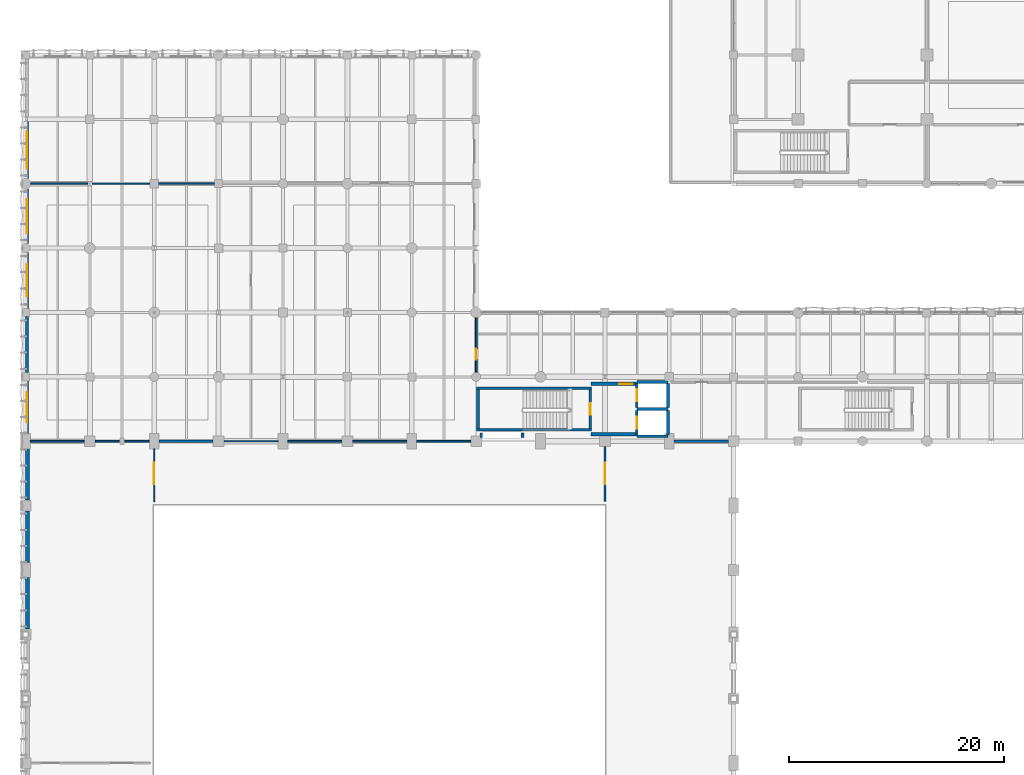
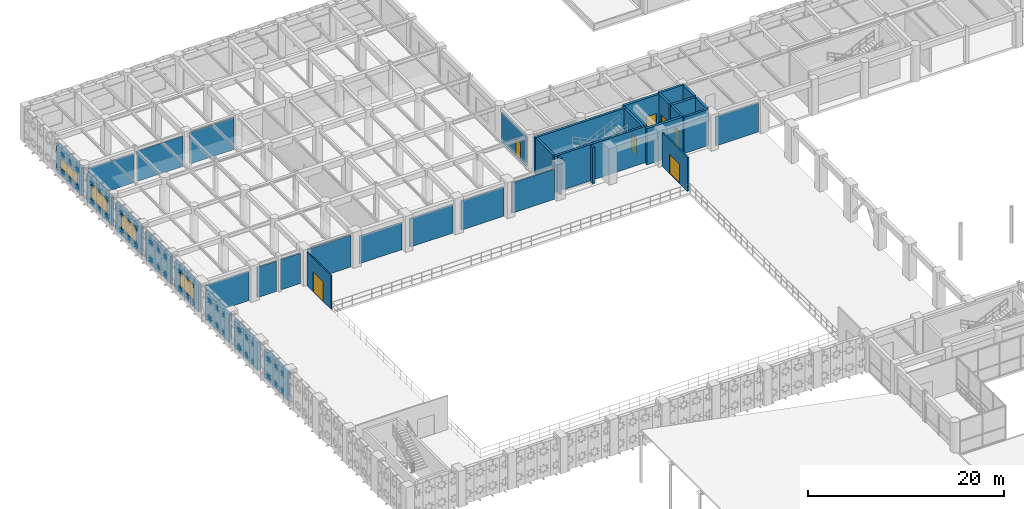
# One storey, part 99 of 133: 38 walls, 7 doors, 4 windows, 11 openings.
"""IFC4 building model written with IfcOpenShell, lengths in metres."""

from ifc_helpers import new_model, si_unit, direction, frame, frame_2d, origin, place, context, subcontext, project, spatial, rectangle, extrude, material, layer, layer_set, type_object, element, fill, save


model = new_model("IFC4")

# Units and contexts
model_context = context("Model", 3, precision=1e-05, world=origin(), true_north=direction((0.0, 1.0)))
body_context = subcontext(model_context, "Body", "Model", "MODEL_VIEW")
ifc_project = project(units=[si_unit("LENGTHUNIT", "METRE"), si_unit("AREAUNIT", "SQUARE_METRE"), si_unit("VOLUMEUNIT", "CUBIC_METRE"), si_unit("PLANEANGLEUNIT", "RADIAN"), si_unit("MASSUNIT", "GRAM", prefix="KILO"), si_unit("THERMODYNAMICTEMPERATUREUNIT", "KELVIN"), si_unit("POWERUNIT", "WATT")], contexts=[model_context])

# Site, building, storey
site_placement = place(None, origin())
site = spatial("IfcSite", under=ifc_project, at=site_placement, CompositionType="ELEMENT")
building_placement = place(site_placement, origin())
building = spatial("IfcBuilding", under=site, at=building_placement, Name="Phaisarnlok Congress Hotel", CompositionType="ELEMENT")
storey_placement = place(building_placement, frame((0.0, 0.0, 6.0)))
storey = spatial("IfcBuildingStorey", under=building, at=storey_placement, Name="L01", CompositionType="ELEMENT", Elevation=6.0)

# Wall, opening, window
ifc_material_1 = material(Name="Concrete C40/50", Category="concrete")
ifc_layer_1 = layer(ifc_material_1, 0.2900390625, Name="Concrete C40/50")
ifc_layer_set_1 = layer_set([ifc_layer_1], Name="Concrete C40/50")
wall_type_1 = type_object("IfcWallType", Name="WL-EXT-290", PredefinedType="SOLIDWALL", material=ifc_layer_set_1)
wall_1_placement = place(storey_placement, frame((0.14501953125, 113.79541015625, 0.0), z_axis=(0.0, 0.0, 1.0), x_axis=(0.0, -1.0, 0.0)))
wall_1 = element("IfcWall", 1, at=wall_1_placement, inside=storey, type_object=wall_type_1, Name="Exterior wall EW-03 (L01)", PredefinedType="SOLIDWALL", context=body_context, shape_type="SweptSolid", body=[
    extrude(rectangle(XDim=5.29052734375, YDim=0.2900390625, at=frame_2d((2.645263671875, 0.0))), origin(), (0.0, 0.0, 1.0), 3.469970703125),
])
opening_1_placement = place(wall_1_placement, frame((0.89501953125, 0.0, 0.85009765625)))
opening_1 = element("IfcOpeningElement", 2, at=opening_1_placement, cuts=wall_1, Name="Opening W-20", PredefinedType="OPENING", context=body_context, shape_type="SweptSolid", body=[
    extrude(rectangle(XDim=3.5, YDim=1.300048828125, at=frame_2d((1.75, 0.64990234375))), frame((0.0, 0.155029296875, 0.0), z_axis=(0.0, -1.0, 0.0), x_axis=(1.0, 0.0, 0.0)), (0.0, 0.0, 1.0), 0.31005859375),
])
ifc_material_2 = material(Name="Thermally Broken Aluminium & Low-E Double Glazing", Category="aluminium")
window_type_1 = type_object("IfcWindowType", Name="WIN-CLER-3500", PartitioningType="SINGLE_PANEL", PredefinedType="WINDOW", material=ifc_material_2)
window_1_placement = place(opening_1_placement, origin())
window_1 = element("IfcWindow", 3, at=window_1_placement, inside=storey, type_object=window_type_1, Name="Podium window W-20 (L01)", OverallHeight=1.300048828125, OverallWidth=3.5, PartitioningType="SINGLE_PANEL", PredefinedType="WINDOW", context=body_context, shape_type="SweptSolid", body=[
    extrude(rectangle(XDim=3.5, YDim=1.300048828125, at=frame_2d((1.75, 0.64990234375))), frame((0.0, 0.030029296875, 0.0), z_axis=(0.0, -1.0, 0.0), x_axis=(1.0, 0.0, 0.0)), (0.0, 0.0, 1.0), 0.06005859375),
])
fill(opening_1, window_1)

wall_2_placement = place(storey_placement, frame((0.14501953125, 107.4951171875, 0.0), z_axis=(0.0, 0.0, 1.0), x_axis=(0.0, -1.0, 0.0)))
wall_2 = element("IfcWall", 4, at=wall_2_placement, inside=storey, type_object=wall_type_1, Name="Exterior wall EW-03 (L01)", PredefinedType="SOLIDWALL", context=body_context, shape_type="SweptSolid", body=[
    extrude(rectangle(XDim=5.065185546875, YDim=0.2900390625, at=frame_2d((2.53271484375, 0.0))), origin(), (0.0, 0.0, 1.0), 3.469970703125),
])
opening_2_placement = place(wall_2_placement, frame((0.931884765625, 0.0, 0.85009765625)))
opening_2 = element("IfcOpeningElement", 5, at=opening_2_placement, cuts=wall_2, Name="Opening W-04", PredefinedType="OPENING", context=body_context, shape_type="SweptSolid", body=[
    extrude(rectangle(XDim=3.199951171875, YDim=1.85009765625, at=frame_2d((1.60009765625, 0.925048828125))), frame((0.0, 0.155029296875, 0.0), z_axis=(0.0, -1.0, 0.0), x_axis=(1.0, 0.0, 0.0)), (0.0, 0.0, 1.0), 0.31005859375),
])
window_type_2 = type_object("IfcWindowType", Name="WIN-SUITE-3200", PartitioningType="SINGLE_PANEL", PredefinedType="WINDOW", material=ifc_material_2)
window_2_placement = place(opening_2_placement, origin())
window_2 = element("IfcWindow", 6, at=window_2_placement, inside=storey, type_object=window_type_2, Name="Podium window W-04 (L01)", OverallHeight=1.85009765625, OverallWidth=3.199951171875, PartitioningType="SINGLE_PANEL", PredefinedType="WINDOW", context=body_context, shape_type="SweptSolid", body=[
    extrude(rectangle(XDim=3.199951171875, YDim=1.85009765625, at=frame_2d((1.60009765625, 0.925048828125))), frame((0.0, 0.030029296875, 0.0), z_axis=(0.0, -1.0, 0.0), x_axis=(1.0, 0.0, 0.0)), (0.0, 0.0, 1.0), 0.06005859375),
])
fill(opening_2, window_2)

wall_3_placement = place(storey_placement, frame((0.14501953125, 101.570068359375, 0.0), z_axis=(0.0, 0.0, 1.0), x_axis=(0.0, -1.0, 0.0)))
wall_3 = element("IfcWall", 7, at=wall_3_placement, inside=storey, type_object=wall_type_1, Name="Exterior wall EW-03 (L01)", PredefinedType="SOLIDWALL", context=body_context, shape_type="SweptSolid", body=[
    extrude(rectangle(XDim=5.190185546875, YDim=0.2900390625, at=frame_2d((2.59521484375, 0.0))), origin(), (0.0, 0.0, 1.0), 3.469970703125),
])
opening_3_placement = place(wall_3_placement, frame((1.094970703125, 0.0, 0.85009765625)))
opening_3 = element("IfcOpeningElement", 8, at=opening_3_placement, cuts=wall_3, Name="Opening W-05", PredefinedType="OPENING", context=body_context, shape_type="SweptSolid", body=[
    extrude(rectangle(XDim=3.0, YDim=1.89990234375, at=frame_2d((1.5, 0.949951171875))), frame((0.0, 0.155029296875, 0.0), z_axis=(0.0, -1.0, 0.0), x_axis=(1.0, 0.0, 0.0)), (0.0, 0.0, 1.0), 0.31005859375),
])
window_type_3 = type_object("IfcWindowType", Name="WIN-POD-3000", PartitioningType="SINGLE_PANEL", PredefinedType="WINDOW", material=ifc_material_2)
window_3_placement = place(opening_3_placement, origin())
window_3 = element("IfcWindow", 9, at=window_3_placement, inside=storey, type_object=window_type_3, Name="Podium window W-05 (L01)", OverallHeight=1.89990234375, OverallWidth=3.0, PartitioningType="SINGLE_PANEL", PredefinedType="WINDOW", context=body_context, shape_type="SweptSolid", body=[
    extrude(rectangle(XDim=3.0, YDim=1.89990234375, at=frame_2d((1.5, 0.949951171875))), frame((0.0, 0.030029296875, 0.0), z_axis=(0.0, -1.0, 0.0), x_axis=(1.0, 0.0, 0.0)), (0.0, 0.0, 1.0), 0.06005859375),
])
fill(opening_3, window_3)

# Wall
wall_4_placement = place(storey_placement, frame((0.14501953125, 95.6201171875, 0.0), z_axis=(0.0, 0.0, 1.0), x_axis=(0.0, -1.0, 0.0)))
element("IfcWall", 10, at=wall_4_placement, inside=storey, type_object=wall_type_1, Name="Exterior wall EW-03 (L01)", PredefinedType="SOLIDWALL", context=body_context, shape_type="SweptSolid", body=[
    extrude(rectangle(XDim=5.215087890625, YDim=0.2900390625, at=frame_2d((2.607421875, 0.0))), origin(), (0.0, 0.0, 1.0), 3.469970703125),
])

# Wall, opening, window
wall_5_placement = place(storey_placement, frame((0.14501953125, 89.594970703125, 0.0), z_axis=(0.0, 0.0, 1.0), x_axis=(0.0, -1.0, 0.0)))
wall_5 = element("IfcWall", 11, at=wall_5_placement, inside=storey, type_object=wall_type_1, Name="Exterior wall EW-03 (L01)", PredefinedType="SOLIDWALL", context=body_context, shape_type="SweptSolid", body=[
    extrude(rectangle(XDim=4.889892578125, YDim=0.2900390625, at=frame_2d((2.44482421875, 0.0))), origin(), (0.0, 0.0, 1.0), 3.469970703125),
])
opening_4_placement = place(wall_5_placement, frame((1.044921875, 0.0, 0.85009765625)))
opening_4 = element("IfcOpeningElement", 12, at=opening_4_placement, cuts=wall_5, Name="Opening W-06", PredefinedType="OPENING", context=body_context, shape_type="SweptSolid", body=[
    extrude(rectangle(XDim=2.800048828125, YDim=1.89990234375, at=frame_2d((1.39990234375, 0.949951171875))), frame((0.0, 0.155029296875, 0.0), z_axis=(0.0, -1.0, 0.0), x_axis=(1.0, 0.0, 0.0)), (0.0, 0.0, 1.0), 0.31005859375),
])
window_type_4 = type_object("IfcWindowType", Name="WIN-POD-2800", PartitioningType="SINGLE_PANEL", PredefinedType="WINDOW", material=ifc_material_2)
window_4_placement = place(opening_4_placement, origin())
window_4 = element("IfcWindow", 13, at=window_4_placement, inside=storey, type_object=window_type_4, Name="Podium window W-06 (L01)", OverallHeight=1.89990234375, OverallWidth=2.800048828125, PartitioningType="SINGLE_PANEL", PredefinedType="WINDOW", context=body_context, shape_type="SweptSolid", body=[
    extrude(rectangle(XDim=2.800048828125, YDim=1.89990234375, at=frame_2d((1.39990234375, 0.949951171875))), frame((0.0, 0.030029296875, 0.0), z_axis=(0.0, -1.0, 0.0), x_axis=(1.0, 0.0, 0.0)), (0.0, 0.0, 1.0), 0.06005859375),
])
fill(opening_4, window_4)

# Walls
ifc_layer_2 = layer(ifc_material_1, 0.360107421875, Name="Concrete C40/50")
ifc_layer_set_2 = layer_set([ifc_layer_2], Name="Concrete C40/50")
wall_type_2 = type_object("IfcWallType", Name="WL-EXT-360", PredefinedType="SOLIDWALL", material=ifc_layer_set_2)
for number, where, z_axis, x_axis, name in (
    (14, (0.179931640625, 83.294921875, 0.0), (0.0, 0.0, 1.0), (0.0, -1.0, 0.0), "Exterior wall EW-01 (L01)"),
    (15, (0.179931640625, 77.4951171875, 0.0), (0.0, 0.0, 1.0), (0.0, -1.0, 0.0), "Exterior wall EW-01 (L01)"),
    (16, (0.179931640625, 71.294921875, 0.0), (0.0, 0.0, 1.0), (0.0, -1.0, 0.0), "Exterior wall EW-01 (L01)"),
):
    element("IfcWall", number, at=place(storey_placement, frame(where, z_axis=z_axis, x_axis=x_axis)), inside=storey, type_object=wall_type_2, Name=name, PredefinedType="SOLIDWALL", context=body_context, shape_type="SweptSolid", body=[
        extrude(rectangle(XDim=4.7900390625, YDim=0.360107421875, at=frame_2d((2.39501953125, 0.0))), origin(), (0.0, 0.0, 1.0), 3.469970703125),
    ])

# Wall, opening, door
ifc_material_3 = material(Name="Service Riser Shaftwall Partition", Category="gypsum")
ifc_layer_3 = layer(ifc_material_3, 0.10498046875, Name="Service Riser Shaftwall Partition")
ifc_layer_set_3 = layer_set([ifc_layer_3], Name="Service Riser Shaftwall Partition")
wall_type_3 = type_object("IfcWallType", Name="WL-INT-105", PredefinedType="PARTITIONING", material=ifc_layer_set_3)
wall_6_placement = place(storey_placement, frame((12.0, 78.3701171875, 0.0), z_axis=(0.0, 0.0, 1.0), x_axis=(0.0, 1.0, 0.0)))
wall_6 = element("IfcWall", 17, at=wall_6_placement, inside=storey, type_object=wall_type_3, Name="Interior partition wall IW-08 (L01)", PredefinedType="PARTITIONING", context=body_context, shape_type="SweptSolid", body=[
    extrude(rectangle(XDim=4.9248046875, YDim=0.10498046875, at=frame_2d((2.46240234375, 0.0))), origin(), (0.0, 0.0, 1.0), 4.219970703125),
])
opening_5_placement = place(wall_6_placement, frame((1.6298828125, 0.0, 0.0)))
opening_5 = element("IfcOpeningElement", 18, at=opening_5_placement, cuts=wall_6, Name="Opening D-0057", PredefinedType="OPENING", context=body_context, shape_type="SweptSolid", body=[
    extrude(rectangle(XDim=2.0, YDim=2.449951171875, at=frame_2d((1.0, 1.22509765625))), frame((0.0, 0.0625, 0.0), z_axis=(0.0, -1.0, 0.0), x_axis=(1.0, 0.0, 0.0)), (0.0, 0.0, 1.0), 0.125),
])
ifc_material_4 = material(Name="Acoustic Double-Seal Congress Door", Category="wood")
door_type_1 = type_object("IfcDoorType", Name="DR-HALL-2000", OperationType="DOUBLE_DOOR_SINGLE_SWING", PredefinedType="DOOR", material=ifc_material_4)
door_1_placement = place(opening_5_placement, origin())
door_1 = element("IfcDoor", 19, at=door_1_placement, inside=storey, type_object=door_type_1, Name="Interior door D-0057 (L01)", OperationType="DOUBLE_DOOR_SINGLE_SWING", OverallHeight=2.449951171875, OverallWidth=2.0, PredefinedType="DOOR", context=body_context, shape_type="SweptSolid", body=[
    extrude(rectangle(XDim=2.0, YDim=2.449951171875, at=frame_2d((1.0, 1.22509765625))), frame((0.0, 0.02490234375, 0.0), z_axis=(0.0, -1.0, 0.0), x_axis=(1.0, 0.0, 0.0)), (0.0, 0.0, 1.0), 0.050048828125),
])
fill(opening_5, door_1)

# Walls
wall_7_placement = place(storey_placement, frame((18.5048828125, 84.0, 0.0), z_axis=(0.0, 0.0, 1.0), x_axis=(1.0, 0.0, 0.0)))
element("IfcWall", 20, at=wall_7_placement, inside=storey, type_object=wall_type_3, Name="Interior partition wall IW-08 (L01)", PredefinedType="PARTITIONING", context=body_context, shape_type="SweptSolid", body=[
    extrude(rectangle(XDim=5.0400390625, YDim=0.10498046875, at=frame_2d((2.52001953125, 0.0))), origin(), (0.0, 0.0, 1.0), 3.419921875),
])
ifc_material_5 = material(Name="Lightweight Metal-Stud Gypsum Partition", Category="gypsum")
ifc_layer_4 = layer(ifc_material_5, 0.1201171875, Name="Lightweight Metal-Stud Gypsum Partition")
ifc_layer_set_4 = layer_set([ifc_layer_4], Name="Lightweight Metal-Stud Gypsum Partition")
wall_type_4 = type_object("IfcWallType", Name="WL-INT-120", PredefinedType="PARTITIONING", material=ifc_layer_set_4)
wall_8_placement = place(storey_placement, frame((6.20556640625, 108.0, 0.0), z_axis=(0.0, 0.0, 1.0), x_axis=(1.0, 0.0, 0.0)))
element("IfcWall", 21, at=wall_8_placement, inside=storey, type_object=wall_type_4, Name="Interior partition wall IW-07 (L01)", PredefinedType="PARTITIONING", context=body_context, shape_type="SweptSolid", body=[
    extrude(rectangle(XDim=5.389404296875, YDim=0.1201171875, at=frame_2d((2.69482421875, 0.0))), origin(), (0.0, 0.0, 1.0), 3.77001953125),
])
ifc_material_6 = material(Name="Moisture-Resistant Gypsum Partition", Category="gypsum")
ifc_layer_5 = layer(ifc_material_6, 0.135009765625, Name="Moisture-Resistant Gypsum Partition")
ifc_layer_set_5 = layer_set([ifc_layer_5], Name="Moisture-Resistant Gypsum Partition")
wall_type_5 = type_object("IfcWallType", Name="WL-INT-135", PredefinedType="PARTITIONING", material=ifc_layer_set_5)
wall_9_placement = place(storey_placement, frame((0.5048828125, 108.0, 0.0), z_axis=(0.0, 0.0, 1.0), x_axis=(1.0, 0.0, 0.0)))
element("IfcWall", 22, at=wall_9_placement, inside=storey, type_object=wall_type_5, Name="Interior partition wall IW-06 (L01)", PredefinedType="PARTITIONING", context=body_context, shape_type="SweptSolid", body=[
    extrude(rectangle(XDim=5.28955078125, YDim=0.135009765625, at=frame_2d((2.644775390625, 0.0))), origin(), (0.0, 0.0, 1.0), 3.6201171875),
])
wall_10_placement = place(storey_placement, frame((12.405029296875, 108.0, 0.0), z_axis=(0.0, 0.0, 1.0), x_axis=(1.0, 0.0, 0.0)))
element("IfcWall", 23, at=wall_10_placement, inside=storey, type_object=wall_type_5, Name="Interior partition wall IW-06 (L01)", PredefinedType="PARTITIONING", context=body_context, shape_type="SweptSolid", body=[
    extrude(rectangle(XDim=5.215087890625, YDim=0.135009765625, at=frame_2d((2.607421875, 0.0))), origin(), (0.0, 0.0, 1.0), 3.929931640625),
])
ifc_material_7 = material(Name="Acoustic Gypsum Board & Mineral Wool", Category="gypsum")
ifc_layer_6 = layer(ifc_material_7, 0.14990234375, Name="Acoustic Gypsum Board & Mineral Wool")
ifc_layer_set_6 = layer_set([ifc_layer_6], Name="Acoustic Gypsum Board & Mineral Wool")
wall_type_6 = type_object("IfcWallType", Name="WL-INT-150", PredefinedType="PARTITIONING", material=ifc_layer_set_6)
wall_11_placement = place(storey_placement, frame((9.2548828125, 84.0, 0.0), z_axis=(0.0, 0.0, 1.0), x_axis=(1.0, 0.0, 0.0)))
element("IfcWall", 24, at=wall_11_placement, inside=storey, type_object=wall_type_6, Name="Interior partition wall IW-05 (L01)", PredefinedType="PARTITIONING", context=body_context, shape_type="SweptSolid", body=[
    extrude(rectangle(XDim=2.2900390625, YDim=0.14990234375, at=frame_2d((1.14501953125, 0.0))), origin(), (0.0, 0.0, 1.0), 3.77001953125),
])
wall_12_placement = place(storey_placement, frame((36.455078125, 84.0, 0.0), z_axis=(0.0, 0.0, 1.0), x_axis=(1.0, 0.0, 0.0)))
element("IfcWall", 25, at=wall_12_placement, inside=storey, type_object=wall_type_6, Name="Interior partition wall IW-05 (L01)", PredefinedType="PARTITIONING", context=body_context, shape_type="SweptSolid", body=[
    extrude(rectangle(XDim=5.0400390625, YDim=0.14990234375, at=frame_2d((2.52001953125, 0.0))), origin(), (0.0, 0.0, 1.0), 3.77001953125),
])

# Wall, opening, door
ifc_material_8 = material(Name="Double-Stud Acoustic Gypsum Partition", Category="gypsum")
ifc_layer_7 = layer(ifc_material_8, 0.159912109375, Name="Double-Stud Acoustic Gypsum Partition")
ifc_layer_set_7 = layer_set([ifc_layer_7], Name="Double-Stud Acoustic Gypsum Partition")
wall_type_7 = type_object("IfcWallType", Name="WL-INT-160", PredefinedType="PARTITIONING", material=ifc_layer_set_7)
wall_13_placement = place(storey_placement, frame((42.0, 90.429931640625, 0.0), z_axis=(0.0, 0.0, 1.0), x_axis=(0.0, 1.0, 0.0)))
wall_13 = element("IfcWall", 26, at=wall_13_placement, inside=storey, type_object=wall_type_7, Name="Interior partition wall IW-04 (L01)", PredefinedType="PARTITIONING", context=body_context, shape_type="SweptSolid", body=[
    extrude(rectangle(XDim=5.065185546875, YDim=0.159912109375, at=frame_2d((2.53271484375, 0.0))), origin(), (0.0, 0.0, 1.0), 3.669921875),
])
opening_6_placement = place(wall_13_placement, frame((1.169921875, 0.0, 0.0)))
opening_6 = element("IfcOpeningElement", 27, at=opening_6_placement, cuts=wall_13, Name="Opening D-0061", PredefinedType="OPENING", context=body_context, shape_type="SweptSolid", body=[
    extrude(rectangle(XDim=1.0, YDim=2.14990234375, at=frame_2d((0.5, 1.074951171875))), frame((0.0, 0.08984375, 0.0), z_axis=(0.0, -1.0, 0.0), x_axis=(1.0, 0.0, 0.0)), (0.0, 0.0, 1.0), 0.179931640625),
])
ifc_material_9 = material(Name="Solid-Core Oak Veneer", Category="wood")
door_type_2 = type_object("IfcDoorType", Name="DR-INT-1000", OperationType="NOTDEFINED", PredefinedType="DOOR", material=ifc_material_9)
door_2_placement = place(opening_6_placement, origin())
door_2 = element("IfcDoor", 28, at=door_2_placement, inside=storey, type_object=door_type_2, Name="Interior door D-0061 (L01)", OperationType="SINGLE_SWING_RIGHT", OverallHeight=2.14990234375, OverallWidth=1.0, PredefinedType="DOOR", context=body_context, shape_type="SweptSolid", body=[
    extrude(rectangle(XDim=1.0, YDim=2.14990234375, at=frame_2d((0.5, 1.074951171875))), frame((0.0, 0.02490234375, 0.0), z_axis=(0.0, -1.0, 0.0), x_axis=(1.0, 0.0, 0.0)), (0.0, 0.0, 1.0), 0.050048828125),
])
fill(opening_6, door_2)

# Walls
wall_14_placement = place(storey_placement, frame((6.5048828125, 84.0, 0.0), z_axis=(0.0, 0.0, 1.0), x_axis=(1.0, 0.0, 0.0)))
element("IfcWall", 29, at=wall_14_placement, inside=storey, type_object=wall_type_7, Name="Interior partition wall IW-04 (L01)", PredefinedType="PARTITIONING", context=body_context, shape_type="SweptSolid", body=[
    extrude(rectangle(XDim=2.240234375, YDim=0.159912109375, at=frame_2d((1.1201171875, 0.0))), origin(), (0.0, 0.0, 1.0), 3.77001953125),
])
wall_15_placement = place(storey_placement, frame((30.5048828125, 84.0, 0.0), z_axis=(0.0, 0.0, 1.0), x_axis=(1.0, 0.0, 0.0)))
element("IfcWall", 30, at=wall_15_placement, inside=storey, type_object=wall_type_7, Name="Interior partition wall IW-04 (L01)", PredefinedType="PARTITIONING", context=body_context, shape_type="SweptSolid", body=[
    extrude(rectangle(XDim=5.0400390625, YDim=0.159912109375, at=frame_2d((2.52001953125, 0.0))), origin(), (0.0, 0.0, 1.0), 3.6201171875),
])
ifc_material_10 = material(Name="Autoclaved Aerated Concrete Block", Category="concrete")
ifc_layer_8 = layer(ifc_material_10, 0.179931640625, Name="Autoclaved Aerated Concrete Block")
ifc_layer_set_8 = layer_set([ifc_layer_8], Name="Autoclaved Aerated Concrete Block")
wall_type_8 = type_object("IfcWallType", Name="WL-INT-180", PredefinedType="PARTITIONING", material=ifc_layer_set_8)
wall_16_placement = place(storey_placement, frame((0.455078125, 84.0, 0.0), z_axis=(0.0, 0.0, 1.0), x_axis=(1.0, 0.0, 0.0)))
element("IfcWall", 31, at=wall_16_placement, inside=storey, type_object=wall_type_8, Name="Interior partition wall IW-03 (L01)", PredefinedType="PARTITIONING", context=body_context, shape_type="SweptSolid", body=[
    extrude(rectangle(XDim=5.0400390625, YDim=0.179931640625, at=frame_2d((2.52001953125, 0.0))), origin(), (0.0, 0.0, 1.0), 3.6201171875),
])
wall_17_placement = place(storey_placement, frame((24.455078125, 84.0, 0.0), z_axis=(0.0, 0.0, 1.0), x_axis=(1.0, 0.0, 0.0)))
element("IfcWall", 32, at=wall_17_placement, inside=storey, type_object=wall_type_8, Name="Interior partition wall IW-03 (L01)", PredefinedType="PARTITIONING", context=body_context, shape_type="SweptSolid", body=[
    extrude(rectangle(XDim=5.0400390625, YDim=0.179931640625, at=frame_2d((2.52001953125, 0.0))), origin(), (0.0, 0.0, 1.0), 3.52001953125),
])

# Wall, opening, door
ifc_layer_9 = layer(ifc_material_10, 0.199951171875, Name="Autoclaved Aerated Concrete Block")
ifc_layer_set_9 = layer_set([ifc_layer_9], Name="Autoclaved Aerated Concrete Block")
wall_type_9 = type_object("IfcWallType", Name="WL-INT-200", PredefinedType="PARTITIONING", material=ifc_layer_set_9)
wall_18_placement = place(storey_placement, frame((54.0, 78.3701171875, 0.0), z_axis=(0.0, 0.0, 1.0), x_axis=(0.0, 1.0, 0.0)))
wall_18 = element("IfcWall", 33, at=wall_18_placement, inside=storey, type_object=wall_type_9, Name="Interior partition wall IW-02 (L01)", PredefinedType="PARTITIONING", context=body_context, shape_type="SweptSolid", body=[
    extrude(rectangle(XDim=5.125, YDim=0.199951171875, at=frame_2d((2.5625, 0.0))), origin(), (0.0, 0.0, 1.0), 4.219970703125),
])
opening_7_placement = place(wall_18_placement, frame((1.6298828125, 0.0, 0.0)))
opening_7 = element("IfcOpeningElement", 34, at=opening_7_placement, cuts=wall_18, Name="Opening D-0058", PredefinedType="OPENING", context=body_context, shape_type="SweptSolid", body=[
    extrude(rectangle(XDim=2.0, YDim=2.449951171875, at=frame_2d((1.0, 1.22509765625))), frame((0.0, 0.10986328125, 0.0), z_axis=(0.0, -1.0, 0.0), x_axis=(1.0, 0.0, 0.0)), (0.0, 0.0, 1.0), 0.219970703125),
])
door_3_placement = place(opening_7_placement, origin())
door_3 = element("IfcDoor", 35, at=door_3_placement, inside=storey, type_object=door_type_1, Name="Interior door D-0058 (L01)", OperationType="DOUBLE_DOOR_SINGLE_SWING", OverallHeight=2.449951171875, OverallWidth=2.0, PredefinedType="DOOR", context=body_context, shape_type="SweptSolid", body=[
    extrude(rectangle(XDim=2.0, YDim=2.449951171875, at=frame_2d((1.0, 1.22509765625))), frame((0.0, 0.02490234375, 0.0), z_axis=(0.0, -1.0, 0.0), x_axis=(1.0, 0.0, 0.0)), (0.0, 0.0, 1.0), 0.050048828125),
])
fill(opening_7, door_3)

# Walls
wall_19_placement = place(storey_placement, frame((12.455078125, 84.0, 0.0), z_axis=(0.0, 0.0, 1.0), x_axis=(1.0, 0.0, 0.0)))
element("IfcWall", 36, at=wall_19_placement, inside=storey, type_object=wall_type_9, Name="Interior partition wall IW-02 (L01)", PredefinedType="PARTITIONING", context=body_context, shape_type="SweptSolid", body=[
    extrude(rectangle(XDim=5.0400390625, YDim=0.199951171875, at=frame_2d((2.52001953125, 0.0))), origin(), (0.0, 0.0, 1.0), 3.929931640625),
])
wall_20_placement = place(storey_placement, frame((60.455078125, 84.0, 0.0), z_axis=(0.0, 0.0, 1.0), x_axis=(1.0, 0.0, 0.0)))
element("IfcWall", 37, at=wall_20_placement, inside=storey, type_object=wall_type_9, Name="Interior partition wall IW-02 (L01)", PredefinedType="PARTITIONING", context=body_context, shape_type="SweptSolid", body=[
    extrude(rectangle(XDim=5.0400390625, YDim=0.199951171875, at=frame_2d((2.52001953125, 0.0))), origin(), (0.0, 0.0, 1.0), 3.6201171875),
])
ifc_material_11 = material(Name="Concrete C50/60", Category="concrete")
ifc_layer_10 = layer(ifc_material_11, 0.260009765625, Name="Concrete C50/60")
ifc_layer_set_10 = layer_set([ifc_layer_10], Name="Concrete C50/60")
wall_type_10 = type_object("IfcWallType", Name="WL-SHR-260", PredefinedType="SHEAR", material=ifc_layer_set_10)
for number, where, z_axis, x_axis, name in (
    (38, (42.0400390625, 85.070068359375, 0.0), (0.0, 0.0, 1.0), (1.0, 0.0, 0.0), "Stair shaft shear wall SW-04 (CORE-5 L01)"),
    (39, (42.0400390625, 88.929931640625, 0.0), (0.0, 0.0, 1.0), (1.0, 0.0, 0.0), "Stair shaft shear wall SW-04 (CORE-5 L01)"),
):
    element("IfcWall", number, at=place(storey_placement, frame(where, z_axis=z_axis, x_axis=x_axis)), inside=storey, type_object=wall_type_10, Name=name, PredefinedType="SHEAR", context=body_context, shape_type="SweptSolid", body=[
        extrude(rectangle(XDim=10.719970703125, YDim=0.260009765625, at=frame_2d((5.35986328125, 0.0))), origin(), (0.0, 0.0, 1.0), 4.5),
    ])
wall_21_placement = place(storey_placement, frame((42.169921875, 85.199951171875, 0.0), z_axis=(0.0, 0.0, 1.0), x_axis=(0.0, 1.0, 0.0)))
element("IfcWall", 40, at=wall_21_placement, inside=storey, type_object=wall_type_10, Name="Stair shaft shear wall SW-04 (CORE-5 L01)", PredefinedType="SHEAR", context=body_context, shape_type="SweptSolid", body=[
    extrude(rectangle(XDim=3.60009765625, YDim=0.260009765625, at=frame_2d((1.800048828125, 0.0))), origin(), (0.0, 0.0, 1.0), 4.5),
])

# Wall, opening, door
wall_22_placement = place(storey_placement, frame((52.6298828125, 85.199951171875, 0.0), z_axis=(0.0, 0.0, 1.0), x_axis=(0.0, 1.0, 0.0)))
wall_22 = element("IfcWall", 41, at=wall_22_placement, inside=storey, type_object=wall_type_10, Name="Stair shaft shear wall SW-04 (CORE-5 L01)", PredefinedType="SHEAR", context=body_context, shape_type="SweptSolid", body=[
    extrude(rectangle(XDim=3.60009765625, YDim=0.260009765625, at=frame_2d((1.800048828125, 0.0))), origin(), (0.0, 0.0, 1.0), 4.5),
])
opening_8_placement = place(wall_22_placement, frame((1.25, 0.0, 0.0)))
opening_8 = element("IfcOpeningElement", 42, at=opening_8_placement, cuts=wall_22, Name="Opening FD-123", PredefinedType="OPENING", context=body_context, shape_type="SweptSolid", body=[
    extrude(rectangle(XDim=1.10009765625, YDim=2.14990234375, at=frame_2d((0.550048828125, 1.074951171875))), frame((0.0, 0.14013671875, 0.0), z_axis=(0.0, -1.0, 0.0), x_axis=(1.0, 0.0, 0.0)), (0.0, 0.0, 1.0), 0.280029296875),
])
ifc_material_12 = material(Name="Fire-Rated Steel Frame & Timber Leaf", Category="steel")
door_type_3 = type_object("IfcDoorType", Name="DR-FD60-1100", OperationType="NOTDEFINED", PredefinedType="DOOR", material=ifc_material_12)
door_4_placement = place(opening_8_placement, origin())
door_4 = element("IfcDoor", 43, at=door_4_placement, inside=storey, type_object=door_type_3, Name="Stair enclosure fire door FD-123 (L01)", OperationType="SINGLE_SWING_RIGHT", OverallHeight=2.14990234375, OverallWidth=1.10009765625, PredefinedType="DOOR", context=body_context, shape_type="SweptSolid", body=[
    extrude(rectangle(XDim=1.10009765625, YDim=2.14990234375, at=frame_2d((0.550048828125, 1.074951171875))), frame((0.0, 0.02490234375, 0.0), z_axis=(0.0, -1.0, 0.0), x_axis=(1.0, 0.0, 0.0)), (0.0, 0.0, 1.0), 0.050048828125),
])
fill(opening_8, door_4)

# Walls
wall_23_placement = place(storey_placement, frame((56.969970703125, 84.469970703125, 0.0), z_axis=(0.0, 0.0, 1.0), x_axis=(1.0, 0.0, 0.0)))
element("IfcWall", 44, at=wall_23_placement, inside=storey, type_object=wall_type_10, Name="Lift shaft shear wall SW-04 (LF-CP1 L01)", PredefinedType="SHEAR", context=body_context, shape_type="SweptSolid", body=[
    extrude(rectangle(XDim=2.909912109375, YDim=0.260009765625, at=frame_2d((1.455078125, 0.0))), origin(), (0.0, 0.0, 1.0), 4.5),
])
wall_24_placement = place(storey_placement, frame((59.8798828125, 84.60009765625, 0.0), z_axis=(0.0, 0.0, 1.0), x_axis=(0.0, 1.0, 0.0)))
element("IfcWall", 45, at=wall_24_placement, inside=storey, type_object=wall_type_10, Name="Lift shaft shear wall SW-04 (LF-CP1 L01)", PredefinedType="SHEAR", context=body_context, shape_type="SweptSolid", body=[
    extrude(rectangle(XDim=2.25, YDim=0.260009765625, at=frame_2d((1.125, 0.0))), origin(), (0.0, 0.0, 1.0), 4.5),
])

# Wall, opening, door
wall_25_placement = place(storey_placement, frame((56.969970703125, 84.60009765625, 0.0), z_axis=(0.0, 0.0, 1.0), x_axis=(0.0, 1.0, 0.0)))
wall_25 = element("IfcWall", 46, at=wall_25_placement, inside=storey, type_object=wall_type_10, Name="Lift shaft front wall SW-04 (LF-CP1 L01)", PredefinedType="SHEAR", context=body_context, shape_type="SweptSolid", body=[
    extrude(rectangle(XDim=2.25, YDim=0.260009765625, at=frame_2d((1.125, 0.0))), origin(), (0.0, 0.0, 1.0), 4.5),
])
opening_9_placement = place(wall_25_placement, frame((0.574951171875, 0.0, 0.0)))
opening_9 = element("IfcOpeningElement", 47, at=opening_9_placement, cuts=wall_25, Name="Opening LD-108", PredefinedType="OPENING", context=body_context, shape_type="SweptSolid", body=[
    extrude(rectangle(XDim=1.10009765625, YDim=2.199951171875, at=frame_2d((0.550048828125, 1.10009765625))), frame((0.0, 0.14013671875, 0.0), z_axis=(0.0, -1.0, 0.0), x_axis=(1.0, 0.0, 0.0)), (0.0, 0.0, 1.0), 0.280029296875),
])
ifc_material_13 = material(Name="Brushed Stainless Steel Grade 304", Category="steel")
door_type_4 = type_object("IfcDoorType", Name="DR-LD-1100", OperationType="DOUBLE_DOOR_SLIDING", PredefinedType="DOOR", material=ifc_material_13)
door_5_placement = place(opening_9_placement, origin())
door_5 = element("IfcDoor", 48, at=door_5_placement, inside=storey, type_object=door_type_4, Name="Lift landing sliding door LD-108 (LF-CP1 L01)", OperationType="DOUBLE_DOOR_SLIDING", OverallHeight=2.199951171875, OverallWidth=1.10009765625, PredefinedType="DOOR", context=body_context, shape_type="SweptSolid", body=[
    extrude(rectangle(XDim=1.10009765625, YDim=2.199951171875, at=frame_2d((0.550048828125, 1.10009765625))), frame((0.0, 0.02490234375, 0.0), z_axis=(0.0, -1.0, 0.0), x_axis=(1.0, 0.0, 0.0)), (0.0, 0.0, 1.0), 0.050048828125),
])
fill(opening_9, door_5)

# Walls
wall_26_placement = place(storey_placement, frame((56.969970703125, 89.530029296875, 0.0), z_axis=(0.0, 0.0, 1.0), x_axis=(1.0, 0.0, 0.0)))
element("IfcWall", 49, at=wall_26_placement, inside=storey, type_object=wall_type_10, Name="Lift shaft shear wall SW-04 (LF-SP1 L01)", PredefinedType="SHEAR", context=body_context, shape_type="SweptSolid", body=[
    extrude(rectangle(XDim=2.909912109375, YDim=0.260009765625, at=frame_2d((1.455078125, 0.0))), origin(), (0.0, 0.0, 1.0), 4.5),
])
wall_27_placement = place(storey_placement, frame((59.8798828125, 87.14990234375, 0.0), z_axis=(0.0, 0.0, 1.0), x_axis=(0.0, 1.0, 0.0)))
element("IfcWall", 50, at=wall_27_placement, inside=storey, type_object=wall_type_10, Name="Lift shaft shear wall SW-04 (LF-SP1 L01)", PredefinedType="SHEAR", context=body_context, shape_type="SweptSolid", body=[
    extrude(rectangle(XDim=2.25, YDim=0.260009765625, at=frame_2d((1.125, 0.0))), origin(), (0.0, 0.0, 1.0), 4.5),
])

# Wall, opening, door
wall_28_placement = place(storey_placement, frame((56.969970703125, 87.14990234375, 0.0), z_axis=(0.0, 0.0, 1.0), x_axis=(0.0, 1.0, 0.0)))
wall_28 = element("IfcWall", 51, at=wall_28_placement, inside=storey, type_object=wall_type_10, Name="Lift shaft front wall SW-04 (LF-SP1 L01)", PredefinedType="SHEAR", context=body_context, shape_type="SweptSolid", body=[
    extrude(rectangle(XDim=2.25, YDim=0.260009765625, at=frame_2d((1.125, 0.0))), origin(), (0.0, 0.0, 1.0), 4.5),
])
opening_10_placement = place(wall_28_placement, frame((0.574951171875, 0.0, 0.0)))
opening_10 = element("IfcOpeningElement", 52, at=opening_10_placement, cuts=wall_28, Name="Opening LD-114", PredefinedType="OPENING", context=body_context, shape_type="SweptSolid", body=[
    extrude(rectangle(XDim=1.10009765625, YDim=2.199951171875, at=frame_2d((0.550048828125, 1.10009765625))), frame((0.0, 0.14013671875, 0.0), z_axis=(0.0, -1.0, 0.0), x_axis=(1.0, 0.0, 0.0)), (0.0, 0.0, 1.0), 0.280029296875),
])
door_6_placement = place(opening_10_placement, origin())
door_6 = element("IfcDoor", 53, at=door_6_placement, inside=storey, type_object=door_type_4, Name="Lift landing sliding door LD-114 (LF-SP1 L01)", OperationType="DOUBLE_DOOR_SLIDING", OverallHeight=2.199951171875, OverallWidth=1.10009765625, PredefinedType="DOOR", context=body_context, shape_type="SweptSolid", body=[
    extrude(rectangle(XDim=1.10009765625, YDim=2.199951171875, at=frame_2d((0.550048828125, 1.10009765625))), frame((0.0, 0.02490234375, 0.0), z_axis=(0.0, -1.0, 0.0), x_axis=(1.0, 0.0, 0.0)), (0.0, 0.0, 1.0), 0.050048828125),
])
fill(opening_10, door_6)

# Walls
for number, where, z_axis, x_axis, name in (
    (54, (42.469970703125, 84.330078125, 0.0), (0.0, 0.0, 1.0), (0.0, 1.0, 0.0), "Service riser shaft wall SW-04 (CORE-5 L01)"),
    (55, (46.330078125, 84.330078125, 0.0), (0.0, 0.0, 1.0), (0.0, 1.0, 0.0), "Service riser shaft wall SW-04 (CORE-5 L01)"),
):
    element("IfcWall", number, at=place(storey_placement, frame(where, z_axis=z_axis, x_axis=x_axis)), inside=storey, type_object=wall_type_10, Name=name, PredefinedType="SHEAR", context=body_context, shape_type="SweptSolid", body=[
        extrude(rectangle(XDim=0.43994140625, YDim=0.260009765625, at=frame_2d((0.219970703125, 0.0))), origin(), (0.0, 0.0, 1.0), 4.5),
    ])
ifc_layer_11 = layer(ifc_material_11, 0.300048828125, Name="Concrete C50/60")
ifc_layer_set_11 = layer_set([ifc_layer_11], Name="Concrete C50/60")
wall_type_11 = type_object("IfcWallType", Name="WL-SHR-300", PredefinedType="SHEAR", material=ifc_layer_set_11)
wall_29_placement = place(storey_placement, frame((56.969970703125, 87.0, 0.0), z_axis=(0.0, 0.0, 1.0), x_axis=(1.0, 0.0, 0.0)))
element("IfcWall", 56, at=wall_29_placement, inside=storey, type_object=wall_type_11, Name="Lift shaft divider shear wall SW-03 (LF-CP1 L01)", PredefinedType="SHEAR", context=body_context, shape_type="SweptSolid", body=[
    extrude(rectangle(XDim=2.909912109375, YDim=0.300048828125, at=frame_2d((1.455078125, 0.0))), origin(), (0.0, 0.0, 1.0), 4.5),
])

# Wall, opening, door
wall_30_placement = place(storey_placement, frame((52.679931640625, 89.35009765625, 0.0), z_axis=(0.0, 0.0, 1.0), x_axis=(1.0, 0.0, 0.0)))
wall_30 = element("IfcWall", 57, at=wall_30_placement, inside=storey, type_object=wall_type_11, Name="Core lobby EI-120 wall SW-03 (CORE-5 L01)", PredefinedType="SHEAR", context=body_context, shape_type="SweptSolid", body=[
    extrude(rectangle(XDim=4.239990234375, YDim=0.300048828125, at=frame_2d((2.1201171875, 0.0))), origin(), (0.0, 0.0, 1.0), 4.5),
])
opening_11_placement = place(wall_30_placement, frame((2.64990234375, 0.0, 0.0)))
opening_11 = element("IfcOpeningElement", 58, at=opening_11_placement, cuts=wall_30, Name="Opening FD-129", PredefinedType="OPENING", context=body_context, shape_type="SweptSolid", body=[
    extrude(rectangle(XDim=1.199951171875, YDim=2.199951171875, at=frame_2d((0.60009765625, 1.10009765625))), frame((0.0, 0.16015625, 0.0), z_axis=(0.0, -1.0, 0.0), x_axis=(1.0, 0.0, 0.0)), (0.0, 0.0, 1.0), 0.320068359375),
])
door_type_5 = type_object("IfcDoorType", Name="DR-FD60-1200", OperationType="NOTDEFINED", PredefinedType="DOOR", material=ifc_material_12)
door_7_placement = place(opening_11_placement, origin())
door_7 = element("IfcDoor", 59, at=door_7_placement, inside=storey, type_object=door_type_5, Name="Firefighting lobby entrance door FD-129 (CORE-5 L01)", OperationType="SINGLE_SWING_RIGHT", OverallHeight=2.199951171875, OverallWidth=1.199951171875, PredefinedType="DOOR", context=body_context, shape_type="SweptSolid", body=[
    extrude(rectangle(XDim=1.199951171875, YDim=2.199951171875, at=frame_2d((0.60009765625, 1.10009765625))), frame((0.0, 0.02490234375, 0.0), z_axis=(0.0, -1.0, 0.0), x_axis=(1.0, 0.0, 0.0)), (0.0, 0.0, 1.0), 0.050048828125),
])
fill(opening_11, door_7)

# Wall
wall_31_placement = place(storey_placement, frame((52.679931640625, 84.64990234375, 0.0), z_axis=(0.0, 0.0, 1.0), x_axis=(1.0, 0.0, 0.0)))
element("IfcWall", 60, at=wall_31_placement, inside=storey, type_object=wall_type_11, Name="Core lobby EI-120 wall SW-03 (CORE-5 L01)", PredefinedType="SHEAR", context=body_context, shape_type="SweptSolid", body=[
    extrude(rectangle(XDim=4.239990234375, YDim=0.300048828125, at=frame_2d((2.1201171875, 0.0))), origin(), (0.0, 0.0, 1.0), 4.5),
])

save(model, "model.ifc")
